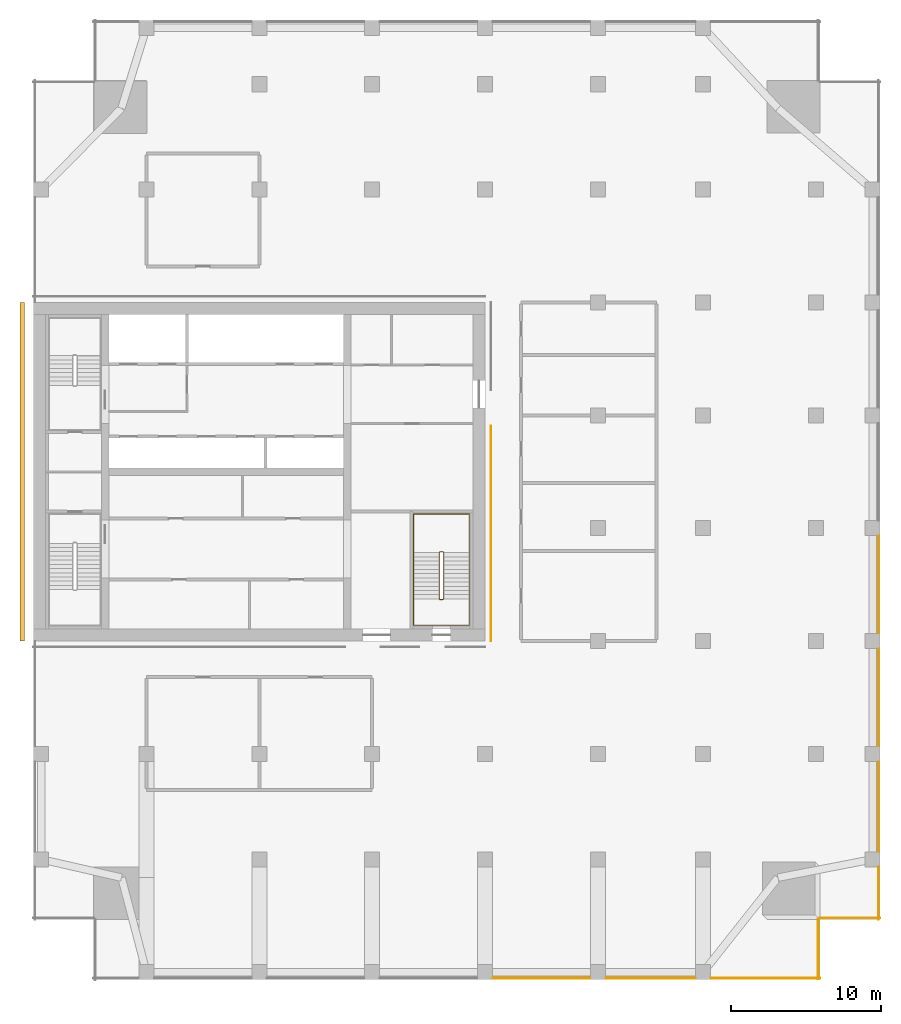
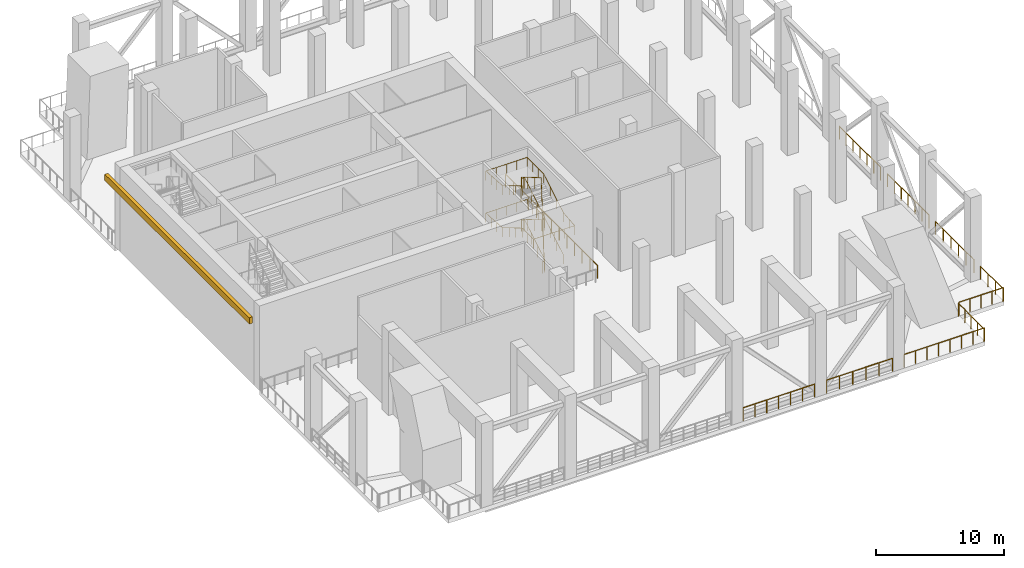
# One storey, part 10 of 12: 12 railings, 1 covering.
"""IFC4 building model written with IfcOpenShell, lengths in metres."""

from ifc_helpers import new_model, si_unit, direction, frame, origin, origin_2d, place, context, subcontext, project, spatial, polyline, circle, outline, extrude, material, layer, layer_set, type_object, element, save


model = new_model("IFC4")

# Units and contexts
model_context = context("Model", 3, precision=1e-05, world=origin(), true_north=direction((0.0, 1.0)))
body_context = subcontext(model_context, "Body", "Model", "MODEL_VIEW")
ifc_project = project(units=[si_unit("LENGTHUNIT", "METRE"), si_unit("AREAUNIT", "SQUARE_METRE"), si_unit("VOLUMEUNIT", "CUBIC_METRE"), si_unit("PLANEANGLEUNIT", "RADIAN"), si_unit("MASSUNIT", "GRAM", prefix="KILO")], contexts=[model_context])

# Site, building, storey
site_placement = place(None, origin())
site = spatial("IfcSite", under=ifc_project, at=site_placement, CompositionType="ELEMENT")
building_placement = place(site_placement, origin())
building = spatial("IfcBuilding", under=site, at=building_placement, Name="Tamorin Gate", CompositionType="ELEMENT")
storey_placement = place(building_placement, frame((0.0, 0.0, 166.199951171875)))
storey = spatial("IfcBuildingStorey", under=building, at=storey_placement, Name="L41", CompositionType="ELEMENT", Elevation=166.199951171875)

# Covering
ifc_material_1 = material(Name="Precast concrete C40/50", Category="concrete")
ifc_layer = layer(ifc_material_1, 0.300048828125)
ifc_layer_set = layer_set([ifc_layer], Name="Spine cornice 300")
covering_type = type_object("IfcCoveringType", Name="Spine cornice 300", PredefinedType="CLADDING", material=ifc_layer_set)
covering_placement = place(storey_placement, frame((0.0, 0.0, 6.60009765625)))
element("IfcCovering", 1, at=covering_placement, inside=storey, type_object=covering_type, Name="Spine cornice", PredefinedType="CLADDING", context=body_context, shape_type="SweptSolid", body=[
    extrude(outline(polyline([(29.10009765625, 60.0), (29.39990234375, 60.0), (29.39990234375, 82.5), (29.10009765625, 82.5), (29.10009765625, 60.0)])), origin(), (0.0, 0.0, 1.0), 0.599853515625),
])

# Railings
ifc_material_2 = material(Name="Painted steel balustrade", Category="steel")
railing_type_1 = type_object("IfcRailingType", Name="Stair guard 1100", PredefinedType="GUARDRAIL", material=ifc_material_2)
railing_1_placement = place(storey_placement, frame((57.25, 62.800048828125, 0.166748046875)))
element("IfcRailing", 2, at=railing_1_placement, inside=storey, type_object=railing_type_1, Name="L41 ST3 stair guard 1", PredefinedType="GUARDRAIL", context=body_context, shape_type="SweptSolid", body=[
    extrude(circle(Radius=0.02392578125, at=origin_2d()), frame((0.0, 0.0, 1.076171875), z_axis=(0.0, 0.859290745958, 0.51148745235), x_axis=(-1.0, 0.0, 0.0)), (0.0, 0.0, 1.0), 3.584228515625),
    extrude(circle(Radius=0.02392578125, at=origin_2d()), frame((0.0, 3.079833984375, 2.9091796875), z_axis=(-0.707106781187, 0.707106781187, 0.0), x_axis=(-0.707106781187, -0.707106781187, 0.0)), (0.0, 0.0, 1.0), 0.07080078125),
    extrude(circle(Radius=0.02392578125, at=origin_2d()), frame((-0.050048828125, 3.1298828125, 2.9091796875), z_axis=(-1.0, 0.0, 0.0), x_axis=(0.0, -1.0, 0.0)), (0.0, 0.0, 1.0), 0.199951171875),
    extrude(circle(Radius=0.02392578125, at=origin_2d()), frame((-0.25, 3.1298828125, 2.9091796875), z_axis=(-0.27628659633, -0.27628659633, 0.920506074601), x_axis=(0.707106781187, -0.707106781187, 0.0)), (0.0, 0.0, 1.0), 0.18115234375),
    extrude(circle(Radius=0.02392578125, at=origin_2d()), frame((-0.300048828125, 3.079833984375, 3.076171875), z_axis=(0.0, -0.859290745958, 0.51148745235), x_axis=(1.0, 0.0, 0.0)), (0.0, 0.0, 1.0), 3.584228515625),
    extrude(circle(Radius=0.02392578125, at=origin_2d()), frame((-0.300048828125, 0.0, 4.9091796875), z_axis=(0.98054382908, -0.196300278283, 0.0), x_axis=(0.196300278283, 0.98054382908, 0.0)), (0.0, 0.0, 1.0), 0.2548828125),
    extrude(circle(Radius=0.02392578125, at=origin_2d()), frame((-0.050048828125, -0.050048828125, 4.9091796875), z_axis=(-1.0, 0.0, 0.0), x_axis=(0.0, -1.0, 0.0)), (0.0, 0.0, 1.0), 0.199951171875),
    extrude(circle(Radius=0.02392578125, at=origin_2d()), frame((-0.25, -0.050048828125, 4.9091796875), z_axis=(0.820621892478, 0.164284656209, 0.547348391174), x_axis=(-0.196300278283, 0.98054382908, 0.0)), (0.0, 0.0, 1.0), 0.3046875),
    extrude(circle(Radius=0.02392578125, at=origin_2d()), frame((0.0, 0.0, 5.076171875), z_axis=(0.0, 0.859290745958, 0.51148745235), x_axis=(-1.0, 0.0, 0.0)), (0.0, 0.0, 1.0), 3.584228515625),
    extrude(circle(Radius=0.02392578125, at=origin_2d()), frame((0.0, 3.079833984375, 6.9091796875), z_axis=(-0.707106781187, 0.707106781187, 0.0), x_axis=(-0.707106781187, -0.707106781187, 0.0)), (0.0, 0.0, 1.0), 0.07080078125),
    extrude(circle(Radius=0.02392578125, at=origin_2d()), frame((-0.050048828125, 3.1298828125, 6.9091796875), z_axis=(-1.0, 0.0, 0.0), x_axis=(0.0, -1.0, 0.0)), (0.0, 0.0, 1.0), 0.199951171875),
    extrude(circle(Radius=0.02392578125, at=origin_2d()), frame((-0.25, 3.1298828125, 6.9091796875), z_axis=(-0.27628659633, -0.27628659633, 0.920506074601), x_axis=(0.707106781187, -0.707106781187, 0.0)), (0.0, 0.0, 1.0), 0.18115234375),
    extrude(circle(Radius=0.02392578125, at=origin_2d()), frame((-0.300048828125, 3.079833984375, 7.076171875), z_axis=(0.0, -0.859290745958, 0.51148745235), x_axis=(1.0, 0.0, 0.0)), (0.0, 0.0, 1.0), 3.584228515625),
    extrude(circle(Radius=0.02392578125, at=origin_2d()), frame((-0.300048828125, 0.0, 8.9091796875), z_axis=(0.031234141746, -0.006252928768, -0.999492535876), x_axis=(0.196300278283, 0.98054382908, 0.0)), (0.0, 0.0, 1.0), 8.004150390625),
    extrude(circle(Radius=0.02392578125, at=origin_2d()), frame((-0.050048828125, -0.050048828125, 0.9091796875), z_axis=(-1.0, 0.0, 0.0), x_axis=(0.0, -1.0, 0.0)), (0.0, 0.0, 1.0), 0.199951171875),
    extrude(circle(Radius=0.02099609375, at=origin_2d()), origin(), (0.0, 0.0, 1.0), 1.052001953125),
    extrude(circle(Radius=0.02099609375, at=origin_2d()), frame((0.0, 1.026611328125, 0.611083984375)), (0.0, 0.0, 1.0), 1.052001953125),
    extrude(circle(Radius=0.02099609375, at=origin_2d()), frame((0.0, 2.05322265625, 1.22216796875)), (0.0, 0.0, 1.0), 1.052001953125),
    extrude(circle(Radius=0.02099609375, at=origin_2d()), frame((0.0, 3.079833984375, 1.833251953125)), (0.0, 0.0, 1.0), 1.052001953125),
    extrude(circle(Radius=0.02099609375, at=origin_2d()), frame((-0.050048828125, 3.1298828125, 1.833251953125)), (0.0, 0.0, 1.0), 1.052001953125),
    extrude(circle(Radius=0.02099609375, at=origin_2d()), frame((-0.25, 3.1298828125, 1.833251953125)), (0.0, 0.0, 1.0), 1.052001953125),
    extrude(circle(Radius=0.02099609375, at=origin_2d()), frame((-0.300048828125, 3.079833984375, 2.0)), (0.0, 0.0, 1.0), 1.052001953125),
    extrude(circle(Radius=0.02099609375, at=origin_2d()), frame((-0.300048828125, 2.05322265625, 2.611083984375)), (0.0, 0.0, 1.0), 1.052001953125),
    extrude(circle(Radius=0.02099609375, at=origin_2d()), frame((-0.300048828125, 1.026611328125, 3.22216796875)), (0.0, 0.0, 1.0), 1.052001953125),
    extrude(circle(Radius=0.02099609375, at=origin_2d()), frame((-0.300048828125, 0.0, 3.833251953125)), (0.0, 0.0, 1.0), 1.052001953125),
    extrude(circle(Radius=0.02099609375, at=origin_2d()), frame((-0.050048828125, -0.050048828125, 3.833251953125)), (0.0, 0.0, 1.0), 1.052001953125),
    extrude(circle(Radius=0.02099609375, at=origin_2d()), frame((-0.25, -0.050048828125, 3.833251953125)), (0.0, 0.0, 1.0), 1.052001953125),
    extrude(circle(Radius=0.02099609375, at=origin_2d()), frame((0.0, 0.0, 4.0)), (0.0, 0.0, 1.0), 1.052001953125),
    extrude(circle(Radius=0.02099609375, at=origin_2d()), frame((0.0, 1.026611328125, 4.611083984375)), (0.0, 0.0, 1.0), 1.052001953125),
    extrude(circle(Radius=0.02099609375, at=origin_2d()), frame((0.0, 2.05322265625, 5.22216796875)), (0.0, 0.0, 1.0), 1.052001953125),
    extrude(circle(Radius=0.02099609375, at=origin_2d()), frame((0.0, 3.079833984375, 5.833251953125)), (0.0, 0.0, 1.0), 1.052001953125),
    extrude(circle(Radius=0.02099609375, at=origin_2d()), frame((-0.050048828125, 3.1298828125, 5.833251953125)), (0.0, 0.0, 1.0), 1.052001953125),
    extrude(circle(Radius=0.02099609375, at=origin_2d()), frame((-0.25, 3.1298828125, 5.833251953125)), (0.0, 0.0, 1.0), 1.052001953125),
    extrude(circle(Radius=0.02099609375, at=origin_2d()), frame((-0.300048828125, 3.079833984375, 6.0)), (0.0, 0.0, 1.0), 1.052001953125),
    extrude(circle(Radius=0.02099609375, at=origin_2d()), frame((-0.300048828125, 2.05322265625, 6.611083984375)), (0.0, 0.0, 1.0), 1.052001953125),
    extrude(circle(Radius=0.02099609375, at=origin_2d()), frame((-0.300048828125, 1.026611328125, 7.22216796875)), (0.0, 0.0, 1.0), 1.052001953125),
    extrude(circle(Radius=0.02099609375, at=origin_2d()), frame((-0.300048828125, 0.0, 7.833251953125)), (0.0, 0.0, 1.0), 1.052001953125),
    extrude(circle(Radius=0.02099609375, at=origin_2d()), frame((-0.264404296875, -0.007080078125, 6.6904296875)), (0.0, 0.0, 1.0), 1.052001953125),
    extrude(circle(Radius=0.02099609375, at=origin_2d()), frame((-0.228515625, -0.014404296875, 5.547607421875)), (0.0, 0.0, 1.0), 1.052001953125),
    extrude(circle(Radius=0.02099609375, at=origin_2d()), frame((-0.19287109375, -0.021484375, 4.40478515625)), (0.0, 0.0, 1.0), 1.052001953125),
    extrude(circle(Radius=0.02099609375, at=origin_2d()), frame((-0.1572265625, -0.028564453125, 3.26171875)), (0.0, 0.0, 1.0), 1.052001953125),
    extrude(circle(Radius=0.02099609375, at=origin_2d()), frame((-0.12158203125, -0.03564453125, 2.118896484375)), (0.0, 0.0, 1.0), 1.052001953125),
    extrude(circle(Radius=0.02099609375, at=origin_2d()), frame((-0.085693359375, -0.04296875, 0.97607421875)), (0.0, 0.0, 1.0), 1.052001953125),
    extrude(circle(Radius=0.02099609375, at=origin_2d()), frame((-0.050048828125, -0.050048828125, -0.166748046875)), (0.0, 0.0, 1.0), 1.052001953125),
    extrude(circle(Radius=0.02099609375, at=origin_2d()), frame((-0.25, -0.050048828125, -0.166748046875)), (0.0, 0.0, 1.0), 1.052001953125),
])
ifc_material_3 = material(Name="Painted steel handrail", Category="steel")
railing_type_2 = type_object("IfcRailingType", Name="Stair handrail 900", PredefinedType="HANDRAIL", material=ifc_material_3)
railing_2_placement = place(storey_placement, frame((58.949951171875, 62.800048828125, 0.166748046875)))
element("IfcRailing", 3, at=railing_2_placement, inside=storey, type_object=railing_type_2, Name="L41 ST3 stair handrail 1", PredefinedType="HANDRAIL", context=body_context, shape_type="SweptSolid", body=[
    extrude(circle(Radius=0.02392578125, at=origin_2d()), frame((0.0, 0.0, 0.8759765625), z_axis=(0.0, 0.859290745958, 0.51148745235), x_axis=(-1.0, 0.0, 0.0)), (0.0, 0.0, 1.0), 3.584228515625),
    extrude(circle(Radius=0.02392578125, at=origin_2d()), frame((0.0, 3.079833984375, 2.708984375), z_axis=(0.0, 1.0, 0.0), x_axis=(-1.0, 0.0, 0.0)), (0.0, 0.0, 1.0), 2.570068359375),
    extrude(circle(Radius=0.02392578125, at=origin_2d()), frame((0.0, 5.64990234375, 2.708984375), z_axis=(-1.0, 0.0, 0.0), x_axis=(0.0, -1.0, 0.0)), (0.0, 0.0, 1.0), 3.699951171875),
    extrude(circle(Radius=0.02392578125, at=origin_2d()), frame((-3.699951171875, 5.64990234375, 2.708984375), z_axis=(0.0, -0.9979018638, 0.06474465403), x_axis=(1.0, 0.0, 0.0)), (0.0, 0.0, 1.0), 2.575439453125),
    extrude(circle(Radius=0.02392578125, at=origin_2d()), frame((-3.699951171875, 3.079833984375, 2.8759765625), z_axis=(0.0, -0.859290745958, 0.51148745235), x_axis=(1.0, 0.0, 0.0)), (0.0, 0.0, 1.0), 3.584228515625),
    extrude(circle(Radius=0.02392578125, at=origin_2d()), frame((-3.699951171875, 0.0, 4.708984375), z_axis=(0.0, -1.0, 0.0), x_axis=(1.0, 0.0, 0.0)), (0.0, 0.0, 1.0), 1.75),
    extrude(circle(Radius=0.02392578125, at=origin_2d()), frame((-3.699951171875, -1.75, 4.708984375), z_axis=(1.0, 0.0, 0.0), x_axis=(0.0, 1.0, 0.0)), (0.0, 0.0, 1.0), 3.699951171875),
    extrude(circle(Radius=0.02392578125, at=origin_2d()), frame((0.0, -1.75, 4.708984375), z_axis=(0.0, 0.995491102282, 0.094854969707), x_axis=(-1.0, 0.0, 0.0)), (0.0, 0.0, 1.0), 1.7578125),
    extrude(circle(Radius=0.02392578125, at=origin_2d()), frame((0.0, 0.0, 4.8759765625), z_axis=(0.0, 0.859290745958, 0.51148745235), x_axis=(-1.0, 0.0, 0.0)), (0.0, 0.0, 1.0), 3.584228515625),
    extrude(circle(Radius=0.02392578125, at=origin_2d()), frame((0.0, 3.079833984375, 6.708984375), z_axis=(0.0, 1.0, 0.0), x_axis=(-1.0, 0.0, 0.0)), (0.0, 0.0, 1.0), 2.570068359375),
    extrude(circle(Radius=0.02392578125, at=origin_2d()), frame((0.0, 5.64990234375, 6.708984375), z_axis=(-1.0, 0.0, 0.0), x_axis=(0.0, -1.0, 0.0)), (0.0, 0.0, 1.0), 3.699951171875),
    extrude(circle(Radius=0.02392578125, at=origin_2d()), frame((-3.699951171875, 5.64990234375, 6.708984375), z_axis=(0.0, -0.9979018638, 0.06474465403), x_axis=(1.0, 0.0, 0.0)), (0.0, 0.0, 1.0), 2.575439453125),
    extrude(circle(Radius=0.02392578125, at=origin_2d()), frame((-3.699951171875, 3.079833984375, 6.8759765625), z_axis=(0.0, -0.859290745958, 0.51148745235), x_axis=(1.0, 0.0, 0.0)), (0.0, 0.0, 1.0), 3.584228515625),
    extrude(circle(Radius=0.02099609375, at=origin_2d()), origin(), (0.0, 0.0, 1.0), 0.851806640625),
    extrude(circle(Radius=0.02099609375, at=origin_2d()), frame((0.0, 1.026611328125, 0.611083984375)), (0.0, 0.0, 1.0), 0.851806640625),
    extrude(circle(Radius=0.02099609375, at=origin_2d()), frame((0.0, 2.05322265625, 1.22216796875)), (0.0, 0.0, 1.0), 0.851806640625),
    extrude(circle(Radius=0.02099609375, at=origin_2d()), frame((0.0, 3.079833984375, 1.833251953125)), (0.0, 0.0, 1.0), 0.851806640625),
    extrude(circle(Radius=0.02099609375, at=origin_2d()), frame((0.0, 3.9365234375, 1.833251953125)), (0.0, 0.0, 1.0), 0.851806640625),
    extrude(circle(Radius=0.02099609375, at=origin_2d()), frame((0.0, 4.793212890625, 1.833251953125)), (0.0, 0.0, 1.0), 0.851806640625),
    extrude(circle(Radius=0.02099609375, at=origin_2d()), frame((0.0, 5.64990234375, 1.833251953125)), (0.0, 0.0, 1.0), 0.851806640625),
    extrude(circle(Radius=0.02099609375, at=origin_2d()), frame((-0.925048828125, 5.64990234375, 1.833251953125)), (0.0, 0.0, 1.0), 0.851806640625),
    extrude(circle(Radius=0.02099609375, at=origin_2d()), frame((-1.85009765625, 5.64990234375, 1.833251953125)), (0.0, 0.0, 1.0), 0.851806640625),
    extrude(circle(Radius=0.02099609375, at=origin_2d()), frame((-2.77490234375, 5.64990234375, 1.833251953125)), (0.0, 0.0, 1.0), 0.851806640625),
    extrude(circle(Radius=0.02099609375, at=origin_2d()), frame((-3.699951171875, 5.64990234375, 1.833251953125)), (0.0, 0.0, 1.0), 0.851806640625),
    extrude(circle(Radius=0.02099609375, at=origin_2d()), frame((-3.699951171875, 4.793212890625, 1.888916015625)), (0.0, 0.0, 1.0), 0.851806640625),
    extrude(circle(Radius=0.02099609375, at=origin_2d()), frame((-3.699951171875, 3.9365234375, 1.9443359375)), (0.0, 0.0, 1.0), 0.851806640625),
    extrude(circle(Radius=0.02099609375, at=origin_2d()), frame((-3.699951171875, 3.079833984375, 2.0)), (0.0, 0.0, 1.0), 0.851806640625),
    extrude(circle(Radius=0.02099609375, at=origin_2d()), frame((-3.699951171875, 2.05322265625, 2.611083984375)), (0.0, 0.0, 1.0), 0.851806640625),
    extrude(circle(Radius=0.02099609375, at=origin_2d()), frame((-3.699951171875, 1.026611328125, 3.22216796875)), (0.0, 0.0, 1.0), 0.851806640625),
    extrude(circle(Radius=0.02099609375, at=origin_2d()), frame((-3.699951171875, 0.0, 3.833251953125)), (0.0, 0.0, 1.0), 0.851806640625),
    extrude(circle(Radius=0.02099609375, at=origin_2d()), frame((-3.699951171875, -0.875, 3.833251953125)), (0.0, 0.0, 1.0), 0.851806640625),
    extrude(circle(Radius=0.02099609375, at=origin_2d()), frame((-3.699951171875, -1.75, 3.833251953125)), (0.0, 0.0, 1.0), 0.851806640625),
    extrude(circle(Radius=0.02099609375, at=origin_2d()), frame((-2.77490234375, -1.75, 3.833251953125)), (0.0, 0.0, 1.0), 0.851806640625),
    extrude(circle(Radius=0.02099609375, at=origin_2d()), frame((-1.85009765625, -1.75, 3.833251953125)), (0.0, 0.0, 1.0), 0.851806640625),
    extrude(circle(Radius=0.02099609375, at=origin_2d()), frame((-0.925048828125, -1.75, 3.833251953125)), (0.0, 0.0, 1.0), 0.851806640625),
    extrude(circle(Radius=0.02099609375, at=origin_2d()), frame((0.0, -1.75, 3.833251953125)), (0.0, 0.0, 1.0), 0.851806640625),
    extrude(circle(Radius=0.02099609375, at=origin_2d()), frame((0.0, -0.875, 3.91650390625)), (0.0, 0.0, 1.0), 0.851806640625),
    extrude(circle(Radius=0.02099609375, at=origin_2d()), frame((0.0, 0.0, 4.0)), (0.0, 0.0, 1.0), 0.851806640625),
    extrude(circle(Radius=0.02099609375, at=origin_2d()), frame((0.0, 1.026611328125, 4.611083984375)), (0.0, 0.0, 1.0), 0.851806640625),
    extrude(circle(Radius=0.02099609375, at=origin_2d()), frame((0.0, 2.05322265625, 5.22216796875)), (0.0, 0.0, 1.0), 0.851806640625),
    extrude(circle(Radius=0.02099609375, at=origin_2d()), frame((0.0, 3.079833984375, 5.833251953125)), (0.0, 0.0, 1.0), 0.851806640625),
    extrude(circle(Radius=0.02099609375, at=origin_2d()), frame((0.0, 3.9365234375, 5.833251953125)), (0.0, 0.0, 1.0), 0.851806640625),
    extrude(circle(Radius=0.02099609375, at=origin_2d()), frame((0.0, 4.793212890625, 5.833251953125)), (0.0, 0.0, 1.0), 0.851806640625),
    extrude(circle(Radius=0.02099609375, at=origin_2d()), frame((0.0, 5.64990234375, 5.833251953125)), (0.0, 0.0, 1.0), 0.851806640625),
    extrude(circle(Radius=0.02099609375, at=origin_2d()), frame((-0.925048828125, 5.64990234375, 5.833251953125)), (0.0, 0.0, 1.0), 0.851806640625),
    extrude(circle(Radius=0.02099609375, at=origin_2d()), frame((-1.85009765625, 5.64990234375, 5.833251953125)), (0.0, 0.0, 1.0), 0.851806640625),
    extrude(circle(Radius=0.02099609375, at=origin_2d()), frame((-2.77490234375, 5.64990234375, 5.833251953125)), (0.0, 0.0, 1.0), 0.851806640625),
    extrude(circle(Radius=0.02099609375, at=origin_2d()), frame((-3.699951171875, 5.64990234375, 5.833251953125)), (0.0, 0.0, 1.0), 0.851806640625),
    extrude(circle(Radius=0.02099609375, at=origin_2d()), frame((-3.699951171875, 4.793212890625, 5.888916015625)), (0.0, 0.0, 1.0), 0.851806640625),
    extrude(circle(Radius=0.02099609375, at=origin_2d()), frame((-3.699951171875, 3.9365234375, 5.9443359375)), (0.0, 0.0, 1.0), 0.851806640625),
    extrude(circle(Radius=0.02099609375, at=origin_2d()), frame((-3.699951171875, 3.079833984375, 6.0)), (0.0, 0.0, 1.0), 0.851806640625),
    extrude(circle(Radius=0.02099609375, at=origin_2d()), frame((-3.699951171875, 2.05322265625, 6.611083984375)), (0.0, 0.0, 1.0), 0.851806640625),
    extrude(circle(Radius=0.02099609375, at=origin_2d()), frame((-3.699951171875, 1.026611328125, 7.22216796875)), (0.0, 0.0, 1.0), 0.851806640625),
    extrude(circle(Radius=0.02099609375, at=origin_2d()), frame((-3.699951171875, 0.0, 7.833251953125)), (0.0, 0.0, 1.0), 0.851806640625),
])
ifc_material_4 = material(Name="Stainless steel", Category="steel")
railing_type_3 = type_object("IfcRailingType", Name="Wind floor guard 1250", PredefinedType="GUARDRAIL", material=ifc_material_4)
railing_3_placement = place(storey_placement, frame((60.530029296875, 37.60009765625, 0.0)))
element("IfcRailing", 4, at=railing_3_placement, inside=storey, type_object=railing_type_3, Name="Open edge guard", PredefinedType="GUARDRAIL", context=body_context, shape_type="SweptSolid", body=[
    extrude(circle(Radius=0.02392578125, at=origin_2d()), frame((0.0, 0.0, 1.22607421875), z_axis=(1.0, 0.0, 0.0), x_axis=(0.0, 1.0, 0.0)), (0.0, 0.0, 1.0), 6.43994140625),
    extrude(circle(Radius=0.02099609375, at=origin_2d()), origin(), (0.0, 0.0, 1.0), 1.201904296875),
    extrude(circle(Radius=0.02099609375, at=origin_2d()), frame((1.0732421875, 0.0, 0.0)), (0.0, 0.0, 1.0), 1.201904296875),
    extrude(circle(Radius=0.02099609375, at=origin_2d()), frame((2.146728515625, 0.0, 0.0)), (0.0, 0.0, 1.0), 1.201904296875),
    extrude(circle(Radius=0.02099609375, at=origin_2d()), frame((3.219970703125, 0.0, 0.0)), (0.0, 0.0, 1.0), 1.201904296875),
    extrude(circle(Radius=0.02099609375, at=origin_2d()), frame((4.293212890625, 0.0, 0.0)), (0.0, 0.0, 1.0), 1.201904296875),
    extrude(circle(Radius=0.02099609375, at=origin_2d()), frame((5.36669921875, 0.0, 0.0)), (0.0, 0.0, 1.0), 1.201904296875),
    extrude(circle(Radius=0.02099609375, at=origin_2d()), frame((6.43994140625, 0.0, 0.0)), (0.0, 0.0, 1.0), 1.201904296875),
])
railing_4_placement = place(storey_placement, frame((68.030029296875, 37.60009765625, 0.0)))
element("IfcRailing", 5, at=railing_4_placement, inside=storey, type_object=railing_type_3, Name="Open edge guard", PredefinedType="GUARDRAIL", context=body_context, shape_type="SweptSolid", body=[
    extrude(circle(Radius=0.02392578125, at=origin_2d()), frame((0.0, 0.0, 1.22607421875), z_axis=(1.0, 0.0, 0.0), x_axis=(0.0, 1.0, 0.0)), (0.0, 0.0, 1.0), 5.93994140625),
    extrude(circle(Radius=0.02099609375, at=origin_2d()), origin(), (0.0, 0.0, 1.0), 1.201904296875),
    extrude(circle(Radius=0.02099609375, at=origin_2d()), frame((1.18798828125, 0.0, 0.0)), (0.0, 0.0, 1.0), 1.201904296875),
    extrude(circle(Radius=0.02099609375, at=origin_2d()), frame((2.3759765625, 0.0, 0.0)), (0.0, 0.0, 1.0), 1.201904296875),
    extrude(circle(Radius=0.02099609375, at=origin_2d()), frame((3.56396484375, 0.0, 0.0)), (0.0, 0.0, 1.0), 1.201904296875),
    extrude(circle(Radius=0.02099609375, at=origin_2d()), frame((4.751953125, 0.0, 0.0)), (0.0, 0.0, 1.0), 1.201904296875),
    extrude(circle(Radius=0.02099609375, at=origin_2d()), frame((5.93994140625, 0.0, 0.0)), (0.0, 0.0, 1.0), 1.201904296875),
])
railing_5_placement = place(storey_placement, frame((75.030029296875, 37.60009765625, 0.0)))
element("IfcRailing", 6, at=railing_5_placement, inside=storey, type_object=railing_type_3, Name="Open edge guard", PredefinedType="GUARDRAIL", context=body_context, shape_type="SweptSolid", body=[
    extrude(circle(Radius=0.02392578125, at=origin_2d()), frame((0.0, 0.0, 1.22607421875), z_axis=(1.0, 0.0, 0.0), x_axis=(0.0, 1.0, 0.0)), (0.0, 0.0, 1.0), 7.219970703125),
    extrude(circle(Radius=0.02099609375, at=origin_2d()), origin(), (0.0, 0.0, 1.0), 1.201904296875),
    extrude(circle(Radius=0.02099609375, at=origin_2d()), frame((1.031494140625, 0.0, 0.0)), (0.0, 0.0, 1.0), 1.201904296875),
    extrude(circle(Radius=0.02099609375, at=origin_2d()), frame((2.062744140625, 0.0, 0.0)), (0.0, 0.0, 1.0), 1.201904296875),
    extrude(circle(Radius=0.02099609375, at=origin_2d()), frame((3.09423828125, 0.0, 0.0)), (0.0, 0.0, 1.0), 1.201904296875),
    extrude(circle(Radius=0.02099609375, at=origin_2d()), frame((4.125732421875, 0.0, 0.0)), (0.0, 0.0, 1.0), 1.201904296875),
    extrude(circle(Radius=0.02099609375, at=origin_2d()), frame((5.1572265625, 0.0, 0.0)), (0.0, 0.0, 1.0), 1.201904296875),
    extrude(circle(Radius=0.02099609375, at=origin_2d()), frame((6.1884765625, 0.0, 0.0)), (0.0, 0.0, 1.0), 1.201904296875),
    extrude(circle(Radius=0.02099609375, at=origin_2d()), frame((7.219970703125, 0.0, 0.0)), (0.0, 0.0, 1.0), 1.201904296875),
])
railing_6_placement = place(storey_placement, frame((82.14990234375, 37.5, 0.0)))
element("IfcRailing", 7, at=railing_6_placement, inside=storey, type_object=railing_type_3, Name="Open edge guard", PredefinedType="GUARDRAIL", context=body_context, shape_type="SweptSolid", body=[
    extrude(circle(Radius=0.02392578125, at=origin_2d()), frame((0.0, 0.0, 1.22607421875), z_axis=(0.0, 1.0, 0.0), x_axis=(-1.0, 0.0, 0.0)), (0.0, 0.0, 1.0), 4.0),
    extrude(circle(Radius=0.02099609375, at=origin_2d()), origin(), (0.0, 0.0, 1.0), 1.201904296875),
    extrude(circle(Radius=0.02099609375, at=origin_2d()), frame((0.0, 1.0, 0.0)), (0.0, 0.0, 1.0), 1.201904296875),
    extrude(circle(Radius=0.02099609375, at=origin_2d()), frame((0.0, 2.0, 0.0)), (0.0, 0.0, 1.0), 1.201904296875),
    extrude(circle(Radius=0.02099609375, at=origin_2d()), frame((0.0, 3.0, 0.0)), (0.0, 0.0, 1.0), 1.201904296875),
    extrude(circle(Radius=0.02099609375, at=origin_2d()), frame((0.0, 4.0, 0.0)), (0.0, 0.0, 1.0), 1.201904296875),
])
railing_7_placement = place(storey_placement, frame((82.25, 41.60009765625, 0.0)))
element("IfcRailing", 8, at=railing_7_placement, inside=storey, type_object=railing_type_3, Name="Open edge guard", PredefinedType="GUARDRAIL", context=body_context, shape_type="SweptSolid", body=[
    extrude(circle(Radius=0.02392578125, at=origin_2d()), frame((0.0, 0.0, 1.22607421875), z_axis=(1.0, 0.0, 0.0), x_axis=(0.0, 1.0, 0.0)), (0.0, 0.0, 1.0), 4.0),
    extrude(circle(Radius=0.02099609375, at=origin_2d()), origin(), (0.0, 0.0, 1.0), 1.201904296875),
    extrude(circle(Radius=0.02099609375, at=origin_2d()), frame((1.0, 0.0, 0.0)), (0.0, 0.0, 1.0), 1.201904296875),
    extrude(circle(Radius=0.02099609375, at=origin_2d()), frame((2.0, 0.0, 0.0)), (0.0, 0.0, 1.0), 1.201904296875),
    extrude(circle(Radius=0.02099609375, at=origin_2d()), frame((3.0, 0.0, 0.0)), (0.0, 0.0, 1.0), 1.201904296875),
    extrude(circle(Radius=0.02099609375, at=origin_2d()), frame((4.0, 0.0, 0.0)), (0.0, 0.0, 1.0), 1.201904296875),
])
railing_8_placement = place(storey_placement, frame((86.14990234375, 41.5, 0.0)))
element("IfcRailing", 9, at=railing_8_placement, inside=storey, type_object=railing_type_3, Name="Open edge guard", PredefinedType="GUARDRAIL", context=body_context, shape_type="SweptSolid", body=[
    extrude(circle(Radius=0.02392578125, at=origin_2d()), frame((0.0, 0.0, 1.22607421875), z_axis=(0.0, 1.0, 0.0), x_axis=(-1.0, 0.0, 0.0)), (0.0, 0.0, 1.0), 3.469970703125),
    extrude(circle(Radius=0.02099609375, at=origin_2d()), origin(), (0.0, 0.0, 1.0), 1.201904296875),
    extrude(circle(Radius=0.02099609375, at=origin_2d()), frame((0.0, 1.15673828125, 0.0)), (0.0, 0.0, 1.0), 1.201904296875),
    extrude(circle(Radius=0.02099609375, at=origin_2d()), frame((0.0, 2.313232421875, 0.0)), (0.0, 0.0, 1.0), 1.201904296875),
    extrude(circle(Radius=0.02099609375, at=origin_2d()), frame((0.0, 3.469970703125, 0.0)), (0.0, 0.0, 1.0), 1.201904296875),
])
railing_9_placement = place(storey_placement, frame((86.14990234375, 46.030029296875, 0.0)))
element("IfcRailing", 10, at=railing_9_placement, inside=storey, type_object=railing_type_3, Name="Open edge guard", PredefinedType="GUARDRAIL", context=body_context, shape_type="SweptSolid", body=[
    extrude(circle(Radius=0.02392578125, at=origin_2d()), frame((0.0, 0.0, 1.22607421875), z_axis=(0.0, 1.0, 0.0), x_axis=(-1.0, 0.0, 0.0)), (0.0, 0.0, 1.0), 5.93994140625),
    extrude(circle(Radius=0.02099609375, at=origin_2d()), origin(), (0.0, 0.0, 1.0), 1.201904296875),
    extrude(circle(Radius=0.02099609375, at=origin_2d()), frame((0.0, 1.18798828125, 0.0)), (0.0, 0.0, 1.0), 1.201904296875),
    extrude(circle(Radius=0.02099609375, at=origin_2d()), frame((0.0, 2.3759765625, 0.0)), (0.0, 0.0, 1.0), 1.201904296875),
    extrude(circle(Radius=0.02099609375, at=origin_2d()), frame((0.0, 3.56396484375, 0.0)), (0.0, 0.0, 1.0), 1.201904296875),
    extrude(circle(Radius=0.02099609375, at=origin_2d()), frame((0.0, 4.751953125, 0.0)), (0.0, 0.0, 1.0), 1.201904296875),
    extrude(circle(Radius=0.02099609375, at=origin_2d()), frame((0.0, 5.93994140625, 0.0)), (0.0, 0.0, 1.0), 1.201904296875),
])
for number, where, name in (
    (11, (86.14990234375, 53.030029296875, 0.0), "Open edge guard"),
    (12, (86.14990234375, 60.530029296875, 0.0), "Open edge guard"),
):
    element("IfcRailing", number, at=place(storey_placement, frame(where)), inside=storey, type_object=railing_type_3, Name=name, PredefinedType="GUARDRAIL", context=body_context, shape_type="SweptSolid", body=[
        extrude(circle(Radius=0.02392578125, at=origin_2d()), frame((0.0, 0.0, 1.22607421875), z_axis=(0.0, 1.0, 0.0), x_axis=(-1.0, 0.0, 0.0)), (0.0, 0.0, 1.0), 6.43994140625),
        extrude(circle(Radius=0.02099609375, at=origin_2d()), origin(), (0.0, 0.0, 1.0), 1.201904296875),
        extrude(circle(Radius=0.02099609375, at=origin_2d()), frame((0.0, 1.0732421875, 0.0)), (0.0, 0.0, 1.0), 1.201904296875),
        extrude(circle(Radius=0.02099609375, at=origin_2d()), frame((0.0, 2.146728515625, 0.0)), (0.0, 0.0, 1.0), 1.201904296875),
        extrude(circle(Radius=0.02099609375, at=origin_2d()), frame((0.0, 3.219970703125, 0.0)), (0.0, 0.0, 1.0), 1.201904296875),
        extrude(circle(Radius=0.02099609375, at=origin_2d()), frame((0.0, 4.293212890625, 0.0)), (0.0, 0.0, 1.0), 1.201904296875),
        extrude(circle(Radius=0.02099609375, at=origin_2d()), frame((0.0, 5.36669921875, 0.0)), (0.0, 0.0, 1.0), 1.201904296875),
        extrude(circle(Radius=0.02099609375, at=origin_2d()), frame((0.0, 6.43994140625, 0.0)), (0.0, 0.0, 1.0), 1.201904296875),
    ])
railing_10_placement = place(storey_placement, frame((60.39990234375, 60.0, 0.0)))
element("IfcRailing", 13, at=railing_10_placement, inside=storey, type_object=railing_type_3, Name="Open edge guard core", PredefinedType="GUARDRAIL", context=body_context, shape_type="SweptSolid", body=[
    extrude(circle(Radius=0.02392578125, at=origin_2d()), frame((0.0, 0.0, 1.22607421875), z_axis=(0.0, 1.0, 0.0), x_axis=(-1.0, 0.0, 0.0)), (0.0, 0.0, 1.0), 14.300048828125),
    extrude(circle(Radius=0.02099609375, at=origin_2d()), origin(), (0.0, 0.0, 1.0), 1.201904296875),
    extrude(circle(Radius=0.02099609375, at=origin_2d()), frame((0.0, 1.191650390625, 0.0)), (0.0, 0.0, 1.0), 1.201904296875),
    extrude(circle(Radius=0.02099609375, at=origin_2d()), frame((0.0, 2.38330078125, 0.0)), (0.0, 0.0, 1.0), 1.201904296875),
    extrude(circle(Radius=0.02099609375, at=origin_2d()), frame((0.0, 3.574951171875, 0.0)), (0.0, 0.0, 1.0), 1.201904296875),
    extrude(circle(Radius=0.02099609375, at=origin_2d()), frame((0.0, 4.7666015625, 0.0)), (0.0, 0.0, 1.0), 1.201904296875),
    extrude(circle(Radius=0.02099609375, at=origin_2d()), frame((0.0, 5.958251953125, 0.0)), (0.0, 0.0, 1.0), 1.201904296875),
    extrude(circle(Radius=0.02099609375, at=origin_2d()), frame((0.0, 7.14990234375, 0.0)), (0.0, 0.0, 1.0), 1.201904296875),
    extrude(circle(Radius=0.02099609375, at=origin_2d()), frame((0.0, 8.341796875, 0.0)), (0.0, 0.0, 1.0), 1.201904296875),
    extrude(circle(Radius=0.02099609375, at=origin_2d()), frame((0.0, 9.533447265625, 0.0)), (0.0, 0.0, 1.0), 1.201904296875),
    extrude(circle(Radius=0.02099609375, at=origin_2d()), frame((0.0, 10.72509765625, 0.0)), (0.0, 0.0, 1.0), 1.201904296875),
    extrude(circle(Radius=0.02099609375, at=origin_2d()), frame((0.0, 11.916748046875, 0.0)), (0.0, 0.0, 1.0), 1.201904296875),
    extrude(circle(Radius=0.02099609375, at=origin_2d()), frame((0.0, 13.1083984375, 0.0)), (0.0, 0.0, 1.0), 1.201904296875),
    extrude(circle(Radius=0.02099609375, at=origin_2d()), frame((0.0, 14.300048828125, 0.0)), (0.0, 0.0, 1.0), 1.201904296875),
])

save(model, "model.ifc")
